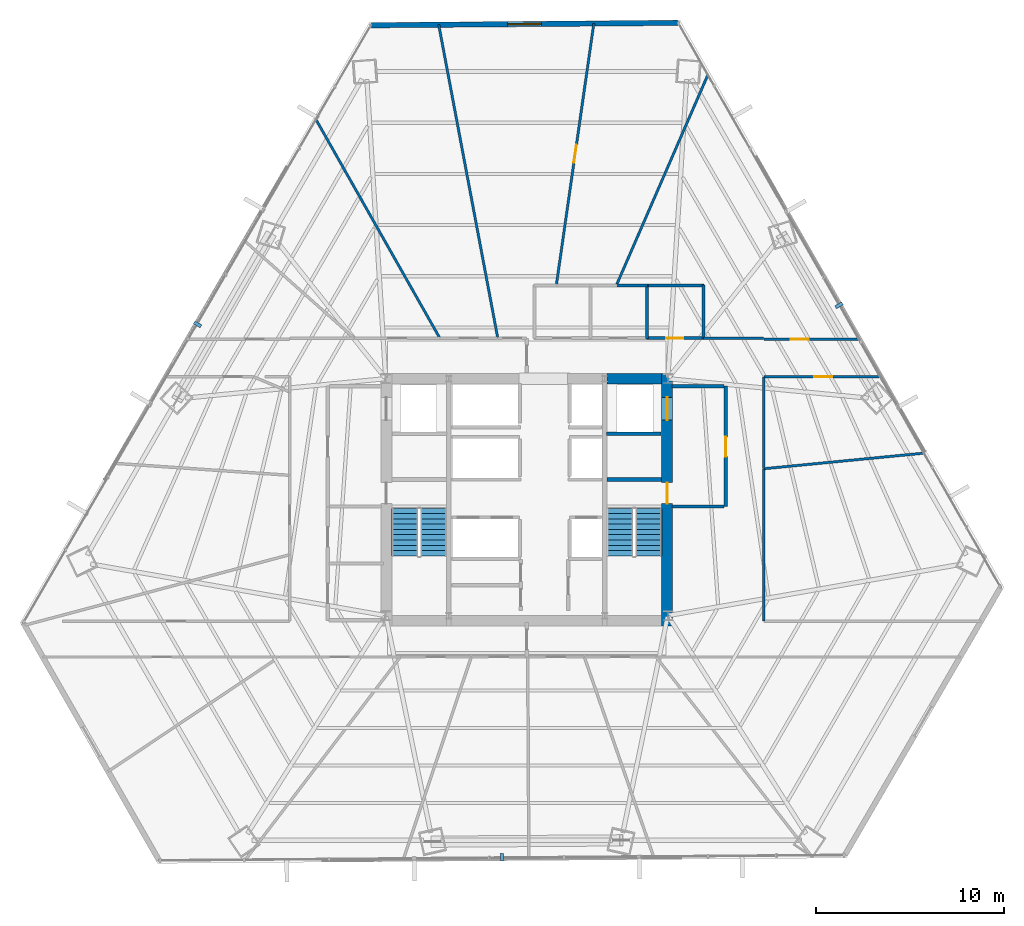
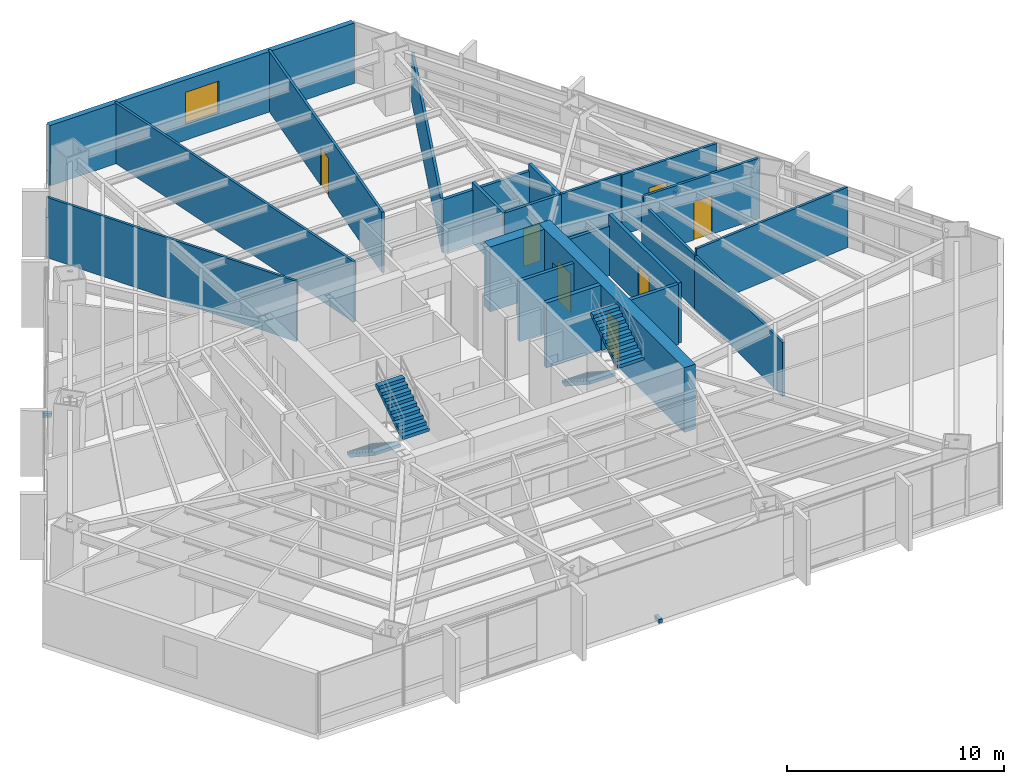
# One storey, part 31 of 34: 23 walls, 7 doors, 4 stair flights, 3 discrete accessories, 1 window, 8 openings, 2 elements without a shape of their own.
"""IFC4 building model written with IfcOpenShell, lengths in metres."""

from ifc_helpers import new_model, si_unit, direction, frame, frame_2d, origin, origin_2d, place, context, subcontext, project, spatial, polyline, rectangle, outline, extrude, source, transform, mapped, material, layer, layer_set, type_object, type_shapes, element, fill, aggregate, save


model = new_model("IFC4")

# Units and contexts
model_context = context("Model", 3, precision=1e-05, world=origin(), true_north=direction((0.0, 1.0)))
body_context = subcontext(model_context, "Body", "Model", "MODEL_VIEW")
ifc_project = project(units=[si_unit("LENGTHUNIT", "METRE"), si_unit("AREAUNIT", "SQUARE_METRE"), si_unit("VOLUMEUNIT", "CUBIC_METRE"), si_unit("PLANEANGLEUNIT", "RADIAN"), si_unit("MASSUNIT", "GRAM", prefix="KILO")], contexts=[model_context])

# Site, building, storey
site_placement = place(None, origin())
site = spatial("IfcSite", under=ifc_project, at=site_placement, CompositionType="ELEMENT")
building_placement = place(site_placement, origin())
building = spatial("IfcBuilding", under=site, at=building_placement, Name="Caelisora Broadcast Tower", CompositionType="ELEMENT")
storey_placement = place(building_placement, frame((0.0, 0.0, 56.800048828125)))
storey = spatial("IfcBuildingStorey", under=building, at=storey_placement, Name="L14", CompositionType="ELEMENT", Elevation=56.800048828125)

# Wall, openings, doors
ifc_material_1 = material(Name="Concrete 65 MPa (AS 3600 S65)", Category="concrete")
ifc_layer_1 = layer(ifc_material_1, 0.60009765625, Name="Concrete 65 MPa (AS 3600 S65)")
ifc_layer_set_1 = layer_set([ifc_layer_1], Name="Concrete 65 MPa (AS 3600 S65)")
wall_type_1 = type_object("IfcWallType", Name="CW1", PredefinedType="SHEAR", material=ifc_layer_set_1)
wall_1_placement = place(storey_placement, frame((45.4599609375, 16.85009765625, 0.0), z_axis=(0.0, 0.0, 1.0), x_axis=(0.0, 1.0, 0.0)))
wall_1 = element("IfcWall", 1, at=wall_1_placement, inside=storey, type_object=wall_type_1, Name="L14 core shear wall CW1", PredefinedType="SHEAR", context=body_context, shape_type="SweptSolid", body=[
    extrude(rectangle(XDim=13.4248046875, YDim=0.60009765625, at=frame_2d((6.71240234375, 0.0))), origin(), (0.0, 0.0, 1.0), 3.64990234375),
])
opening_1_placement = place(wall_1_placement, frame((6.5, 0.0, 0.0)))
opening_1 = element("IfcOpeningElement", 2, at=opening_1_placement, cuts=wall_1, Name="Opening FD04", PredefinedType="OPENING", context=body_context, shape_type="SweptSolid", body=[
    extrude(rectangle(XDim=1.1201171875, YDim=2.14990234375, at=frame_2d((0.56005859375, 1.074951171875))), frame((0.0, 0.31201171875, 0.0), z_axis=(0.0, -1.0, 0.0), x_axis=(1.0, 0.0, 0.0)), (0.0, 0.0, 1.0), 0.6240234375),
])
opening_2_placement = place(wall_1_placement, frame((10.949951171875, 0.0, 0.0)))
opening_2 = element("IfcOpeningElement", 3, at=opening_2_placement, cuts=wall_1, Name="Opening LD04", PredefinedType="OPENING", context=body_context, shape_type="SweptSolid", body=[
    extrude(rectangle(XDim=1.199951171875, YDim=2.199951171875, at=frame_2d((0.60009765625, 1.10009765625))), frame((0.0, 0.31201171875, 0.0), z_axis=(0.0, -1.0, 0.0), x_axis=(1.0, 0.0, 0.0)), (0.0, 0.0, 1.0), 0.6240234375),
])
ifc_material_2 = material(Name="Pressurised Fire-Isolated Stair Door", Category="steel")
door_type_1 = type_object("IfcDoorType", Name="FD04", OperationType="NOTDEFINED", PredefinedType="DOOR", material=ifc_material_2)
door_1_placement = place(opening_1_placement, origin())
door_1 = element("IfcDoor", 4, at=door_1_placement, inside=storey, type_object=door_type_1, Name="L14 door FD04 (L14-DR-ST2)", OperationType="SINGLE_SWING_RIGHT", OverallHeight=2.14990234375, OverallWidth=1.1201171875, PredefinedType="DOOR", context=body_context, shape_type="SweptSolid", body=[
    extrude(rectangle(XDim=1.1201171875, YDim=2.14990234375, at=frame_2d((0.56005859375, 1.074951171875))), frame((0.0, 0.02490234375, 0.0), z_axis=(0.0, -1.0, 0.0), x_axis=(1.0, 0.0, 0.0)), (0.0, 0.0, 1.0), 0.050048828125),
])
fill(opening_1, door_1)
ifc_material_3 = material(Name="Emergency Firefighting Lift Sliding Landing Door", Category="steel")
door_type_2 = type_object("IfcDoorType", Name="LD04", OperationType="NOTDEFINED", PredefinedType="DOOR", material=ifc_material_3)
door_2_placement = place(opening_2_placement, origin())
door_2 = element("IfcDoor", 5, at=door_2_placement, inside=storey, type_object=door_type_2, Name="L14 door LD04 (L14-LD-FFL2)", OperationType="SLIDING_TO_RIGHT", OverallHeight=2.199951171875, OverallWidth=1.199951171875, PredefinedType="DOOR", context=body_context, shape_type="SweptSolid", body=[
    extrude(rectangle(XDim=1.199951171875, YDim=2.199951171875, at=frame_2d((0.60009765625, 1.10009765625))), frame((0.0, 0.02490234375, 0.0), z_axis=(0.0, -1.0, 0.0), x_axis=(1.0, 0.0, 0.0)), (0.0, 0.0, 1.0), 0.050048828125),
])
fill(opening_2, door_2)

# Walls
ifc_layer_2 = layer(ifc_material_1, 0.550048828125, Name="Concrete 65 MPa (AS 3600 S65)")
ifc_layer_set_2 = layer_set([ifc_layer_2], Name="Concrete 65 MPa (AS 3600 S65)")
wall_type_2 = type_object("IfcWallType", Name="CW4", PredefinedType="SHEAR", material=ifc_layer_set_2)
wall_2_placement = place(storey_placement, frame((42.260009765625, 30.0, 0.0), z_axis=(0.0, 0.0, 1.0), x_axis=(1.0, 0.0, 0.0)))
element("IfcWall", 6, at=wall_2_placement, inside=storey, type_object=wall_type_2, Name="L14 core shear wall CW4", PredefinedType="SHEAR", context=body_context, shape_type="SweptSolid", body=[
    extrude(rectangle(XDim=2.89990234375, YDim=0.550048828125, at=frame_2d((1.449951171875, 0.0))), origin(), (0.0, 0.0, 1.0), 3.64990234375),
])
ifc_material_4 = material(Name="Concrete 50 MPa (AS 3600 S50)", Category="concrete")
ifc_layer_3 = layer(ifc_material_4, 0.219970703125, Name="Concrete 50 MPa (AS 3600 S50)")
ifc_layer_set_3 = layer_set([ifc_layer_3], Name="Concrete 50 MPa (AS 3600 S50)")
wall_type_3 = type_object("IfcWallType", Name="CW7", PredefinedType="SHEAR", material=ifc_layer_set_3)
wall_3_placement = place(storey_placement, frame((42.260009765625, 24.639892578125, 0.0), z_axis=(0.0, 0.0, 1.0), x_axis=(1.0, 0.0, 0.0)))
element("IfcWall", 7, at=wall_3_placement, inside=storey, type_object=wall_type_3, Name="L14 core shear wall CW7", PredefinedType="SHEAR", context=body_context, shape_type="SweptSolid", body=[
    extrude(rectangle(XDim=2.89990234375, YDim=0.219970703125, at=frame_2d((1.449951171875, 0.0))), origin(), (0.0, 0.0, 1.0), 3.64990234375),
])

# Wall, opening, window
ifc_material_5 = material(Name="Insulated Terracotta Spandrel Wall System", Category="masonry")
ifc_layer_4 = layer(ifc_material_5, 0.280029296875, Name="Insulated Terracotta Spandrel Wall System")
ifc_layer_set_4 = layer_set([ifc_layer_4], Name="Insulated Terracotta Spandrel Wall System")
wall_type_4 = type_object("IfcWallType", Name="EW1", PredefinedType="STANDARD", material=ifc_layer_set_4)
wall_4_placement = place(storey_placement, frame((29.743896484375, 48.789306640625, 0.0), z_axis=(0.0, 0.0, 1.0), x_axis=(0.999968910232, 0.007885338912, 0.0)))
wall_4 = element("IfcWall", 8, at=wall_4_placement, inside=storey, type_object=wall_type_4, Name="L14 exterior envelope wall EW1", PredefinedType="STANDARD", context=body_context, shape_type="SweptSolid", body=[
    extrude(rectangle(XDim=16.28564453125, YDim=0.280029296875, at=frame_2d((8.142822265625, 0.0))), origin(), (0.0, 0.0, 1.0), 3.39990234375),
])
opening_3_placement = place(wall_4_placement, frame((7.239990234375, 0.0, 0.89990234375)))
opening_3 = element("IfcOpeningElement", 9, at=opening_3_placement, cuts=wall_4, Name="Opening W01", PredefinedType="OPENING", context=body_context, shape_type="SweptSolid", body=[
    extrude(rectangle(XDim=1.800048828125, YDim=1.800048828125, at=frame_2d((0.89990234375, 0.89990234375))), frame((0.0, 0.152099609375, 0.0), z_axis=(0.0, -1.0, 0.0), x_axis=(1.0, 0.0, 0.0)), (0.0, 0.0, 1.0), 0.303955078125),
])
ifc_material_6 = material(Name="Double Glazed Terracotta-Framed Vision Window", Category="glass")
window_type = type_object("IfcWindowType", Name="W01", PartitioningType="SINGLE_PANEL", PredefinedType="WINDOW", material=ifc_material_6)
window_placement = place(opening_3_placement, origin())
window = element("IfcWindow", 10, at=window_placement, inside=storey, type_object=window_type, Name="L14 window W01 (L14-WN-CH8)", OverallHeight=1.800048828125, OverallWidth=1.800048828125, PartitioningType="SINGLE_PANEL", PredefinedType="WINDOW", context=body_context, shape_type="SweptSolid", body=[
    extrude(rectangle(XDim=1.800048828125, YDim=1.800048828125, at=frame_2d((0.89990234375, 0.89990234375))), frame((0.0, 0.030029296875, 0.0), z_axis=(0.0, -1.0, 0.0), x_axis=(1.0, 0.0, 0.0)), (0.0, 0.0, 1.0), 0.06005859375),
])
fill(opening_3, window)

# Wall, opening, door
ifc_material_7 = material(Name="Fire-Rated Gypsum Shaft and Compartment Wall", Category="gypsum")
ifc_layer_5 = layer(ifc_material_7, 0.179931640625, Name="Fire-Rated Gypsum Shaft and Compartment Wall")
ifc_layer_set_5 = layer_set([ifc_layer_5], Name="Fire-Rated Gypsum Shaft and Compartment Wall")
wall_type_5 = type_object("IfcWallType", Name="PW2", PredefinedType="PARTITIONING", material=ifc_layer_set_5)
wall_5_placement = place(storey_placement, frame((48.580078125, 23.199951171875, 0.0), z_axis=(0.0, 0.0, 1.0), x_axis=(0.0, 1.0, 0.0)))
wall_5 = element("IfcWall", 11, at=wall_5_placement, inside=storey, type_object=wall_type_5, Name="L14 fire compartment wall PW2", PredefinedType="PARTITIONING", context=body_context, shape_type="SweptSolid", body=[
    extrude(rectangle(XDim=6.400146484375, YDim=0.179931640625, at=frame_2d((3.2001953125, 0.0))), origin(), (0.0, 0.0, 1.0), 3.39990234375),
])
opening_4_placement = place(wall_5_placement, frame((2.64990234375, 0.0, 0.0)))
opening_4 = element("IfcOpeningElement", 12, at=opening_4_placement, cuts=wall_5, Name="Opening FD02", PredefinedType="OPENING", context=body_context, shape_type="SweptSolid", body=[
    extrude(rectangle(XDim=1.050048828125, YDim=2.14990234375, at=frame_2d((0.52490234375, 1.074951171875))), frame((0.0, 0.10205078125, 0.0), z_axis=(0.0, -1.0, 0.0), x_axis=(1.0, 0.0, 0.0)), (0.0, 0.0, 1.0), 0.203857421875),
])
ifc_material_8 = material(Name="Single-Leaf Steel Fire Lobby Door", Category="steel")
door_type_3 = type_object("IfcDoorType", Name="FD02", OperationType="NOTDEFINED", PredefinedType="DOOR", material=ifc_material_8)
door_3_placement = place(opening_4_placement, origin())
door_3 = element("IfcDoor", 13, at=door_3_placement, inside=storey, type_object=door_type_3, Name="L14 door FD02 (L14-DR-P04D1)", OperationType="SINGLE_SWING_RIGHT", OverallHeight=2.14990234375, OverallWidth=1.050048828125, PredefinedType="DOOR", context=body_context, shape_type="SweptSolid", body=[
    extrude(rectangle(XDim=1.050048828125, YDim=2.14990234375, at=frame_2d((0.52490234375, 1.074951171875))), frame((0.0, 0.02490234375, 0.0), z_axis=(0.0, -1.0, 0.0), x_axis=(1.0, 0.0, 0.0)), (0.0, 0.0, 1.0), 0.050048828125),
])
fill(opening_4, door_3)

# Walls
wall_6_placement = place(storey_placement, frame((45.719970703125, 23.199951171875, 0.0), z_axis=(0.0, 0.0, 1.0), x_axis=(1.0, 0.0, 0.0)))
element("IfcWall", 14, at=wall_6_placement, inside=storey, type_object=wall_type_5, Name="L14 fire compartment wall PW2", PredefinedType="PARTITIONING", context=body_context, shape_type="SweptSolid", body=[
    extrude(rectangle(XDim=2.760009765625, YDim=0.179931640625, at=frame_2d((1.3798828125, 0.0))), origin(), (0.0, 0.0, 1.0), 3.39990234375),
])
wall_7_placement = place(storey_placement, frame((45.719970703125, 29.60009765625, 0.0), z_axis=(0.0, 0.0, 1.0), x_axis=(1.0, 0.0, 0.0)))
element("IfcWall", 15, at=wall_7_placement, inside=storey, type_object=wall_type_5, Name="L14 fire compartment wall PW2", PredefinedType="PARTITIONING", context=body_context, shape_type="SweptSolid", body=[
    extrude(rectangle(XDim=2.760009765625, YDim=0.179931640625, at=frame_2d((1.3798828125, 0.0))), origin(), (0.0, 0.0, 1.0), 2.78271484375),
])
wall_8_placement = place(storey_placement, frame((42.239990234375, 27.070068359375, 0.0), z_axis=(0.0, 0.0, 1.0), x_axis=(1.0, 0.0, 0.0)))
element("IfcWall", 16, at=wall_8_placement, inside=storey, type_object=wall_type_5, Name="L14 fire compartment wall PW2", PredefinedType="PARTITIONING", context=body_context, shape_type="SweptSolid", body=[
    extrude(rectangle(XDim=2.89990234375, YDim=0.179931640625, at=frame_2d((1.449951171875, 0.0))), origin(), (0.0, 0.0, 1.0), 3.39990234375),
])
ifc_material_9 = material(Name="Acoustic Steel-Stud Plasterboard Partition", Category="gypsum")
ifc_layer_6 = layer(ifc_material_9, 0.1298828125, Name="Acoustic Steel-Stud Plasterboard Partition")
ifc_layer_set_6 = layer_set([ifc_layer_6], Name="Acoustic Steel-Stud Plasterboard Partition")
wall_type_6 = type_object("IfcWallType", Name="PW3", PredefinedType="PARTITIONING", material=ifc_layer_set_6)
wall_9_placement = place(storey_placement, frame((33.318359375, 48.822265625, 0.0), z_axis=(0.0, 0.0, 1.0), x_axis=(0.185172344293, -0.982706061297, 0.0)))
element("IfcWall", 17, at=wall_9_placement, inside=storey, type_object=wall_type_6, Name="L14 internal partition PW3", PredefinedType="PARTITIONING", context=body_context, shape_type="SweptSolid", body=[
    extrude(rectangle(XDim=16.96044921875, YDim=0.1298828125, at=frame_2d((8.480224609375, 0.0))), origin(), (0.0, 0.0, 1.0), 3.39990234375),
])

# Wall, opening, door
wall_10_placement = place(storey_placement, frame((39.571044921875, 34.955078125, 0.0), z_axis=(0.0, 0.0, 1.0), x_axis=(0.141802608297, 0.989894954164, 0.0)))
wall_10 = element("IfcWall", 18, at=wall_10_placement, inside=storey, type_object=wall_type_6, Name="L14 internal partition PW3", PredefinedType="PARTITIONING", context=body_context, shape_type="SweptSolid", body=[
    extrude(rectangle(XDim=14.074951171875, YDim=0.1298828125, at=frame_2d((7.03759765625, 0.0))), origin(), (0.0, 0.0, 1.0), 3.39990234375),
])
opening_5_placement = place(wall_10_placement, frame((6.60400390625, 0.0, 0.0)))
opening_5 = element("IfcOpeningElement", 19, at=opening_5_placement, cuts=wall_10, Name="Opening D01", PredefinedType="OPENING", context=body_context, shape_type="SweptSolid", body=[
    extrude(rectangle(XDim=0.9599609375, YDim=2.14990234375, at=frame_2d((0.47998046875, 1.074951171875))), frame((0.0, 0.076904296875, 0.0), z_axis=(0.0, -1.0, 0.0), x_axis=(1.0, 0.0, 0.0)), (0.0, 0.0, 1.0), 0.15380859375),
])
ifc_material_10 = material(Name="Solid-Core Timber Acoustic Office Door", Category="wood")
door_type_4 = type_object("IfcDoorType", Name="D01", OperationType="NOTDEFINED", PredefinedType="DOOR", material=ifc_material_10)
door_4_placement = place(opening_5_placement, origin())
door_4 = element("IfcDoor", 20, at=door_4_placement, inside=storey, type_object=door_type_4, Name="L14 door D01 (L14-DR-P31D1)", OperationType="SINGLE_SWING_LEFT", OverallHeight=2.14990234375, OverallWidth=0.9599609375, PredefinedType="DOOR", context=body_context, shape_type="SweptSolid", body=[
    extrude(rectangle(XDim=0.9599609375, YDim=2.14990234375, at=frame_2d((0.47998046875, 1.074951171875))), frame((0.0, 0.02490234375, 0.0), z_axis=(0.0, -1.0, 0.0), x_axis=(1.0, 0.0, 0.0)), (0.0, 0.0, 1.0), 0.050048828125),
])
fill(opening_5, door_4)

# Walls
wall_11_placement = place(storey_placement, frame((26.79248046875, 43.777587890625, 0.0), z_axis=(0.0, 0.0, 1.0), x_axis=(0.492943406062, -0.870061376237, 0.0)))
element("IfcWall", 21, at=wall_11_placement, inside=storey, type_object=wall_type_6, Name="L14 internal partition PW3", PredefinedType="PARTITIONING", context=body_context, shape_type="SweptSolid", body=[
    extrude(rectangle(XDim=13.359375, YDim=0.1298828125, at=frame_2d((6.6796875, 0.0))), origin(), (0.0, 0.0, 1.0), 3.39990234375),
])
wall_12_placement = place(storey_placement, frame((42.761962890625, 34.955078125, 0.0), z_axis=(0.0, 0.0, 1.0), x_axis=(0.398632652208, 0.917110685029, 0.0)))
element("IfcWall", 22, at=wall_12_placement, inside=storey, type_object=wall_type_6, Name="L14 internal partition PW3", PredefinedType="PARTITIONING", context=body_context, shape_type="SweptSolid", body=[
    extrude(rectangle(XDim=12.226806640625, YDim=0.1298828125, at=frame_2d((6.11328125, 0.0))), origin(), (0.0, 0.0, 1.0), 2.78271484375),
])
wall_13_placement = place(storey_placement, frame((50.60498046875, 25.2099609375, 0.0), z_axis=(0.0, 0.0, 1.0), x_axis=(0.995299917846, 0.096840454021, 0.0)))
element("IfcWall", 23, at=wall_13_placement, inside=storey, type_object=wall_type_6, Name="L14 internal partition PW3", PredefinedType="PARTITIONING", context=body_context, shape_type="SweptSolid", body=[
    extrude(rectangle(XDim=8.569091796875, YDim=0.1298828125, at=frame_2d((4.28466796875, 0.0))), origin(), (0.0, 0.0, 1.0), 3.39990234375),
])
wall_14_placement = place(storey_placement, frame((50.60009765625, 17.10498046875, 0.0), z_axis=(0.0, 0.0, 1.0), x_axis=(0.0, 1.0, 0.0)))
element("IfcWall", 24, at=wall_14_placement, inside=storey, type_object=wall_type_6, Name="L14 internal partition PW3", PredefinedType="PARTITIONING", context=body_context, shape_type="SweptSolid", body=[
    extrude(rectangle(XDim=8.10009765625, YDim=0.1298828125, at=frame_2d((4.050048828125, 0.0))), origin(), (0.0, 0.0, 1.0), 3.0263671875),
])

# Wall, opening, door
wall_15_placement = place(storey_placement, frame((50.60498046875, 30.10009765625, 0.0), z_axis=(0.0, 0.0, 1.0), x_axis=(1.0, 0.0, 0.0)))
wall_15 = element("IfcWall", 25, at=wall_15_placement, inside=storey, type_object=wall_type_6, Name="L14 internal partition PW3", PredefinedType="PARTITIONING", context=body_context, shape_type="SweptSolid", body=[
    extrude(rectangle(XDim=6.20947265625, YDim=0.1298828125, at=frame_2d((3.104736328125, 0.0))), origin(), (0.0, 0.0, 1.0), 3.39990234375),
])
opening_6_placement = place(wall_15_placement, frame((2.677978515625, 0.0, 0.0)))
opening_6 = element("IfcOpeningElement", 26, at=opening_6_placement, cuts=wall_15, Name="Opening D01", PredefinedType="OPENING", context=body_context, shape_type="SweptSolid", body=[
    extrude(rectangle(XDim=0.9599609375, YDim=2.14990234375, at=frame_2d((0.47998046875, 1.074951171875))), frame((0.0, 0.076904296875, 0.0), z_axis=(0.0, -1.0, 0.0), x_axis=(1.0, 0.0, 0.0)), (0.0, 0.0, 1.0), 0.15380859375),
])
door_5_placement = place(opening_6_placement, origin())
door_5 = element("IfcDoor", 27, at=door_5_placement, inside=storey, type_object=door_type_4, Name="L14 door D01 (L14-DR-P49D1)", OperationType="SINGLE_SWING_LEFT", OverallHeight=2.14990234375, OverallWidth=0.9599609375, PredefinedType="DOOR", context=body_context, shape_type="SweptSolid", body=[
    extrude(rectangle(XDim=0.9599609375, YDim=2.14990234375, at=frame_2d((0.47998046875, 1.074951171875))), frame((0.0, 0.02490234375, 0.0), z_axis=(0.0, -1.0, 0.0), x_axis=(1.0, 0.0, 0.0)), (0.0, 0.0, 1.0), 0.050048828125),
])
fill(opening_6, door_5)

wall_16_placement = place(storey_placement, frame((50.60498046875, 32.10009765625, 0.0), z_axis=(0.0, 0.0, 1.0), x_axis=(1.0, 0.0, 0.0)))
wall_16 = element("IfcWall", 28, at=wall_16_placement, inside=storey, type_object=wall_type_6, Name="L14 internal partition PW3", PredefinedType="PARTITIONING", context=body_context, shape_type="SweptSolid", body=[
    extrude(rectangle(XDim=5.067138671875, YDim=0.1298828125, at=frame_2d((2.53369140625, 0.0))), origin(), (0.0, 0.0, 1.0), 3.39990234375),
])
opening_7_placement = place(wall_16_placement, frame((1.43994140625, 0.0, 0.0)))
opening_7 = element("IfcOpeningElement", 29, at=opening_7_placement, cuts=wall_16, Name="Opening D01", PredefinedType="OPENING", context=body_context, shape_type="SweptSolid", body=[
    extrude(rectangle(XDim=0.9599609375, YDim=2.14990234375, at=frame_2d((0.47998046875, 1.074951171875))), frame((0.0, 0.076904296875, 0.0), z_axis=(0.0, -1.0, 0.0), x_axis=(1.0, 0.0, 0.0)), (0.0, 0.0, 1.0), 0.15380859375),
])
door_6_placement = place(opening_7_placement, origin())
door_6 = element("IfcDoor", 30, at=door_6_placement, inside=storey, type_object=door_type_4, Name="L14 door D01 (L14-DR-P51D1)", OperationType="SINGLE_SWING_LEFT", OverallHeight=2.14990234375, OverallWidth=0.9599609375, PredefinedType="DOOR", context=body_context, shape_type="SweptSolid", body=[
    extrude(rectangle(XDim=0.9599609375, YDim=2.14990234375, at=frame_2d((0.47998046875, 1.074951171875))), frame((0.0, 0.02490234375, 0.0), z_axis=(0.0, -1.0, 0.0), x_axis=(1.0, 0.0, 0.0)), (0.0, 0.0, 1.0), 0.050048828125),
])
fill(opening_7, door_6)

# Walls
wall_17_placement = place(storey_placement, frame((50.60009765625, 25.215087890625, 0.0), z_axis=(0.0, 0.0, 1.0), x_axis=(0.0, 1.0, 0.0)))
element("IfcWall", 31, at=wall_17_placement, inside=storey, type_object=wall_type_6, Name="L14 internal partition PW3", PredefinedType="PARTITIONING", context=body_context, shape_type="SweptSolid", body=[
    extrude(rectangle(XDim=4.8798828125, YDim=0.1298828125, at=frame_2d((2.43994140625, 0.0))), origin(), (0.0, 0.0, 1.0), 3.0263671875),
])
wall_18_placement = place(storey_placement, frame((47.405029296875, 32.14990234375, 0.0), z_axis=(0.0, 0.0, 1.0), x_axis=(1.0, 0.0, 0.0)))
element("IfcWall", 32, at=wall_18_placement, inside=storey, type_object=wall_type_6, Name="L14 internal partition PW3", PredefinedType="PARTITIONING", context=body_context, shape_type="SweptSolid", body=[
    extrude(rectangle(XDim=3.18994140625, YDim=0.1298828125, at=frame_2d((1.594970703125, 0.0))), origin(), (0.0, 0.0, 1.0), 3.39990234375),
])

# Wall, opening, door
ifc_material_11 = material(Name="Moisture-Resistant Wet Plumbing Service Wall", Category="gypsum")
ifc_layer_7 = layer(ifc_material_11, 0.159912109375, Name="Moisture-Resistant Wet Plumbing Service Wall")
ifc_layer_set_7 = layer_set([ifc_layer_7], Name="Moisture-Resistant Wet Plumbing Service Wall")
wall_type_7 = type_object("IfcWallType", Name="PW4", PredefinedType="PLUMBINGWALL", material=ifc_layer_set_7)
wall_19_placement = place(storey_placement, frame((44.375, 32.14990234375, 0.0), z_axis=(0.0, 0.0, 1.0), x_axis=(1.0, 0.0, 0.0)))
wall_19 = element("IfcWall", 33, at=wall_19_placement, inside=storey, type_object=wall_type_7, Name="L14 wet plumbing wall PW4", PredefinedType="PLUMBINGWALL", context=body_context, shape_type="SweptSolid", body=[
    extrude(rectangle(XDim=3.050048828125, YDim=0.159912109375, at=frame_2d((1.52490234375, 0.0))), origin(), (0.0, 0.0, 1.0), 3.39990234375),
])
opening_8_placement = place(wall_19_placement, frame((1.034912109375, 0.0, 0.0)))
opening_8 = element("IfcOpeningElement", 34, at=opening_8_placement, cuts=wall_19, Name="Opening D03", PredefinedType="OPENING", context=body_context, shape_type="SweptSolid", body=[
    extrude(rectangle(XDim=0.919921875, YDim=2.10009765625, at=frame_2d((0.4599609375, 1.050048828125))), frame((0.0, 0.092041015625, 0.0), z_axis=(0.0, -1.0, 0.0), x_axis=(1.0, 0.0, 0.0)), (0.0, 0.0, 1.0), 0.183837890625),
])
ifc_material_12 = material(Name="Laminate Moisture-Resistant Amenity WC Door", Category="wood")
door_type_5 = type_object("IfcDoorType", Name="D03", OperationType="NOTDEFINED", PredefinedType="DOOR", material=ifc_material_12)
door_7_placement = place(opening_8_placement, origin())
door_7 = element("IfcDoor", 35, at=door_7_placement, inside=storey, type_object=door_type_5, Name="L14 door D03 (L14-DR-P19D1)", OperationType="SINGLE_SWING_RIGHT", OverallHeight=2.10009765625, OverallWidth=0.919921875, PredefinedType="DOOR", context=body_context, shape_type="SweptSolid", body=[
    extrude(rectangle(XDim=0.919921875, YDim=2.10009765625, at=frame_2d((0.4599609375, 1.050048828125))), frame((0.0, 0.02490234375, 0.0), z_axis=(0.0, -1.0, 0.0), x_axis=(1.0, 0.0, 0.0)), (0.0, 0.0, 1.0), 0.050048828125),
])
fill(opening_8, door_7)

# Walls
wall_20_placement = place(storey_placement, frame((47.425048828125, 34.949951171875, 0.0), z_axis=(0.0, 0.0, 1.0), x_axis=(-1.0, 0.0, 0.0)))
element("IfcWall", 36, at=wall_20_placement, inside=storey, type_object=wall_type_7, Name="L14 wet plumbing wall PW4", PredefinedType="PLUMBINGWALL", context=body_context, shape_type="SweptSolid", body=[
    extrude(rectangle(XDim=3.050048828125, YDim=0.159912109375, at=frame_2d((1.52490234375, 0.0))), origin(), (0.0, 0.0, 1.0), 3.0263671875),
])
for number, where, z_axis, x_axis, name in (
    (37, (44.39990234375, 32.125, 0.0), (0.0, 0.0, 1.0), (0.0, 1.0, 0.0), "L14 wet plumbing wall PW4"),
    (38, (47.39990234375, 32.125, 0.0), (0.0, 0.0, 1.0), (0.0, 1.0, 0.0), "L14 wet plumbing wall PW4"),
):
    element("IfcWall", number, at=place(storey_placement, frame(where, z_axis=z_axis, x_axis=x_axis)), inside=storey, type_object=wall_type_7, Name=name, PredefinedType="PLUMBINGWALL", context=body_context, shape_type="SweptSolid", body=[
        extrude(rectangle(XDim=2.85009765625, YDim=0.159912109375, at=frame_2d((1.425048828125, 0.0))), origin(), (0.0, 0.0, 1.0), 3.39990234375),
    ])
wall_21_placement = place(storey_placement, frame((42.735107421875, 34.949951171875, 0.0), z_axis=(0.0, 0.0, 1.0), x_axis=(1.0, 0.0, 0.0)))
element("IfcWall", 39, at=wall_21_placement, inside=storey, type_object=wall_type_7, Name="L14 wet plumbing wall PW4", PredefinedType="PLUMBINGWALL", context=body_context, shape_type="SweptSolid", body=[
    extrude(rectangle(XDim=1.68994140625, YDim=0.159912109375, at=frame_2d((0.844970703125, 0.0))), origin(), (0.0, 0.0, 1.0), 3.0263671875),
])

# Stair, stair flights
ifc_material_13 = material(Name="Concrete 40 MPa (AS 3600 N40)", Category="concrete")
stair_type_1 = type_object("IfcStairType", Name="ST-1", PredefinedType="HALF_TURN_STAIR", material=ifc_material_13)
stair_1_placement = place(storey_placement, origin())
stair_1 = element("IfcStair", 40, at=stair_1_placement, inside=storey, type_object=stair_type_1, Name="L14 West Fire-Isolated Tower Stair", PredefinedType="HALF_TURN_STAIR")
stair_flight_type = type_object("IfcStairFlightType", Name="STF-2", PredefinedType="STRAIGHT", material=ifc_material_13)
stair_flight_1_placement = place(storey_placement, frame((31.52001953125, 23.10009765625, 0.0), z_axis=(0.0, 0.0, 1.0), x_axis=(0.0, -1.0, 0.0)))
stair_flight_1 = element("IfcStairFlight", 41, at=stair_flight_1_placement, type_object=stair_flight_type, Name="ST-1 flight 1", NumberOfRisers=10, NumberOfTreads=9, PredefinedType="STRAIGHT", RiserHeight=0.1825, TreadLength=0.28, context=body_context, shape_type="SweptSolid", body=[
    extrude(outline(polyline([(0.0, 0.0), (0.0, 0.1826171875), (0.280029296875, 0.1826171875), (0.280029296875, 0.364990234375), (0.56005859375, 0.364990234375), (0.56005859375, 0.547607421875), (0.840087890625, 0.547607421875), (0.840087890625, 0.72998046875), (1.1201171875, 0.72998046875), (1.1201171875, 0.91259765625), (1.39990234375, 0.91259765625), (1.39990234375, 1.094970703125), (1.679931640625, 1.094970703125), (1.679931640625, 1.277587890625), (1.9599609375, 1.277587890625), (1.9599609375, 1.4599609375), (2.239990234375, 1.4599609375), (2.239990234375, 1.642578125), (2.52001953125, 1.642578125), (2.52001953125, 1.824951171875), (2.52001953125, 1.463623046875), (0.2744140625, 0.0), (0.0, 0.0)])), frame((0.0, 0.699951171875, 0.0), z_axis=(0.0, -1.0, 0.0), x_axis=(1.0, 0.0, 0.0)), (0.0, 0.0, 1.0), 1.39990234375),
])
stair_flight_2_placement = place(storey_placement, frame((33.0400390625, 20.580078125, 1.824951171875), z_axis=(0.0, 0.0, 1.0), x_axis=(0.0, 1.0, 0.0)))
stair_flight_2 = element("IfcStairFlight", 42, at=stair_flight_2_placement, type_object=stair_flight_type, Name="ST-1 flight 2", NumberOfRisers=10, NumberOfTreads=9, PredefinedType="STRAIGHT", RiserHeight=0.1825, TreadLength=0.28, context=body_context, shape_type="SweptSolid", body=[
    extrude(outline(polyline([(0.0, 0.0), (0.0, 0.1826171875), (0.280029296875, 0.1826171875), (0.280029296875, 0.364990234375), (0.56005859375, 0.364990234375), (0.56005859375, 0.547607421875), (0.840087890625, 0.547607421875), (0.840087890625, 0.72998046875), (1.1201171875, 0.72998046875), (1.1201171875, 0.91259765625), (1.39990234375, 0.91259765625), (1.39990234375, 1.094970703125), (1.679931640625, 1.094970703125), (1.679931640625, 1.277587890625), (1.9599609375, 1.277587890625), (1.9599609375, 1.4599609375), (2.239990234375, 1.4599609375), (2.239990234375, 1.642578125), (2.52001953125, 1.642578125), (2.52001953125, 1.824951171875), (2.52001953125, 1.463623046875), (0.2744140625, 0.0), (0.0, 0.0)])), frame((0.0, 0.699951171875, 0.0), z_axis=(0.0, -1.0, 0.0), x_axis=(1.0, 0.0, 0.0)), (0.0, 0.0, 1.0), 1.39990234375),
])
aggregate(stair_1, [stair_flight_1, stair_flight_2])

stair_type_2 = type_object("IfcStairType", Name="ST-2", PredefinedType="HALF_TURN_STAIR", material=ifc_material_13)
stair_2_placement = place(storey_placement, origin())
stair_2 = element("IfcStair", 43, at=stair_2_placement, inside=storey, type_object=stair_type_2, Name="L14 East Fire-Isolated Tower Stair", PredefinedType="HALF_TURN_STAIR")
stair_flight_3_placement = place(storey_placement, frame((42.9599609375, 23.10009765625, 0.0), z_axis=(0.0, 0.0, 1.0), x_axis=(0.0, -1.0, 0.0)))
stair_flight_3 = element("IfcStairFlight", 44, at=stair_flight_3_placement, type_object=stair_flight_type, Name="ST-2 flight 1", NumberOfRisers=10, NumberOfTreads=9, PredefinedType="STRAIGHT", RiserHeight=0.1825, TreadLength=0.28, context=body_context, shape_type="SweptSolid", body=[
    extrude(outline(polyline([(0.0, 0.0), (0.0, 0.1826171875), (0.280029296875, 0.1826171875), (0.280029296875, 0.364990234375), (0.56005859375, 0.364990234375), (0.56005859375, 0.547607421875), (0.840087890625, 0.547607421875), (0.840087890625, 0.72998046875), (1.1201171875, 0.72998046875), (1.1201171875, 0.91259765625), (1.39990234375, 0.91259765625), (1.39990234375, 1.094970703125), (1.679931640625, 1.094970703125), (1.679931640625, 1.277587890625), (1.9599609375, 1.277587890625), (1.9599609375, 1.4599609375), (2.239990234375, 1.4599609375), (2.239990234375, 1.642578125), (2.52001953125, 1.642578125), (2.52001953125, 1.824951171875), (2.52001953125, 1.463623046875), (0.2744140625, 0.0), (0.0, 0.0)])), frame((0.0, 0.699951171875, 0.0), z_axis=(0.0, -1.0, 0.0), x_axis=(1.0, 0.0, 0.0)), (0.0, 0.0, 1.0), 1.39990234375),
])
stair_flight_4_placement = place(storey_placement, frame((44.47998046875, 20.580078125, 1.824951171875), z_axis=(0.0, 0.0, 1.0), x_axis=(0.0, 1.0, 0.0)))
stair_flight_4 = element("IfcStairFlight", 45, at=stair_flight_4_placement, type_object=stair_flight_type, Name="ST-2 flight 2", NumberOfRisers=10, NumberOfTreads=9, PredefinedType="STRAIGHT", RiserHeight=0.1825, TreadLength=0.28, context=body_context, shape_type="SweptSolid", body=[
    extrude(outline(polyline([(0.0, 0.0), (0.0, 0.1826171875), (0.280029296875, 0.1826171875), (0.280029296875, 0.364990234375), (0.56005859375, 0.364990234375), (0.56005859375, 0.547607421875), (0.840087890625, 0.547607421875), (0.840087890625, 0.72998046875), (1.1201171875, 0.72998046875), (1.1201171875, 0.91259765625), (1.39990234375, 0.91259765625), (1.39990234375, 1.094970703125), (1.679931640625, 1.094970703125), (1.679931640625, 1.277587890625), (1.9599609375, 1.277587890625), (1.9599609375, 1.4599609375), (2.239990234375, 1.4599609375), (2.239990234375, 1.642578125), (2.52001953125, 1.642578125), (2.52001953125, 1.824951171875), (2.52001953125, 1.463623046875), (0.2744140625, 0.0), (0.0, 0.0)])), frame((0.0, 0.699951171875, 0.0), z_axis=(0.0, -1.0, 0.0), x_axis=(1.0, 0.0, 0.0)), (0.0, 0.0, 1.0), 1.39990234375),
])
aggregate(stair_2, [stair_flight_3, stair_flight_4])

# Discrete accessories
ifc_material_14 = material(Name="Steel Grade 350 (AS/NZS 3679.1)", Category="steel")
discrete_accessory_type = type_object("IfcDiscreteAccessoryType", Name="BRK-1", PredefinedType="BRACKET", material=ifc_material_14)
shared_shape = source(origin(), body_context, "Body", "SweptSolid", [
    extrude(rectangle(XDim=0.179931640625, YDim=0.419921875, at=origin_2d()), origin(), (0.0, 0.0, 1.0), 0.219970703125),
])
type_shapes(discrete_accessory_type, [shared_shape])
for number, where, z_axis, x_axis, name in (
    (46, (20.4970703125, 32.887451171875, -0.16015625), (0.0, 0.0, 1.0), (-0.50286909456, -0.864362582332, 0.0), "L14 solar screen outrigger bracket #1"),
    (47, (36.68212890625, 4.550537109375, -0.16015625), (0.0, 0.0, 1.0), (0.99996777165, 0.00802842831, 0.0), "L14 solar screen outrigger bracket #2"),
    (48, (54.604248046875, 33.898681640625, -0.16015625), (0.0, 0.0, 1.0), (-0.496064966839, 0.868285407383, 0.0), "L14 solar screen outrigger bracket #3"),
):
    element("IfcDiscreteAccessory", number, at=place(storey_placement, frame(where, z_axis=z_axis, x_axis=x_axis)), inside=storey, type_object=discrete_accessory_type, Name=name, PredefinedType="BRACKET", context=body_context, shape_type="MappedRepresentation", body=[
        mapped(shared_shape, transform((0.0, 0.0, 0.0), scale=1.0)),
    ])

save(model, "model.ifc")
